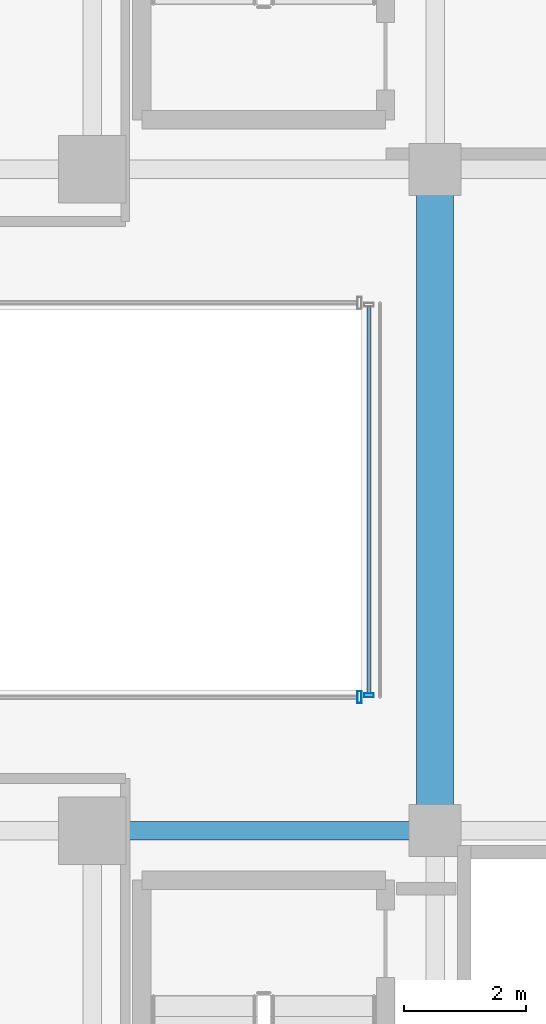
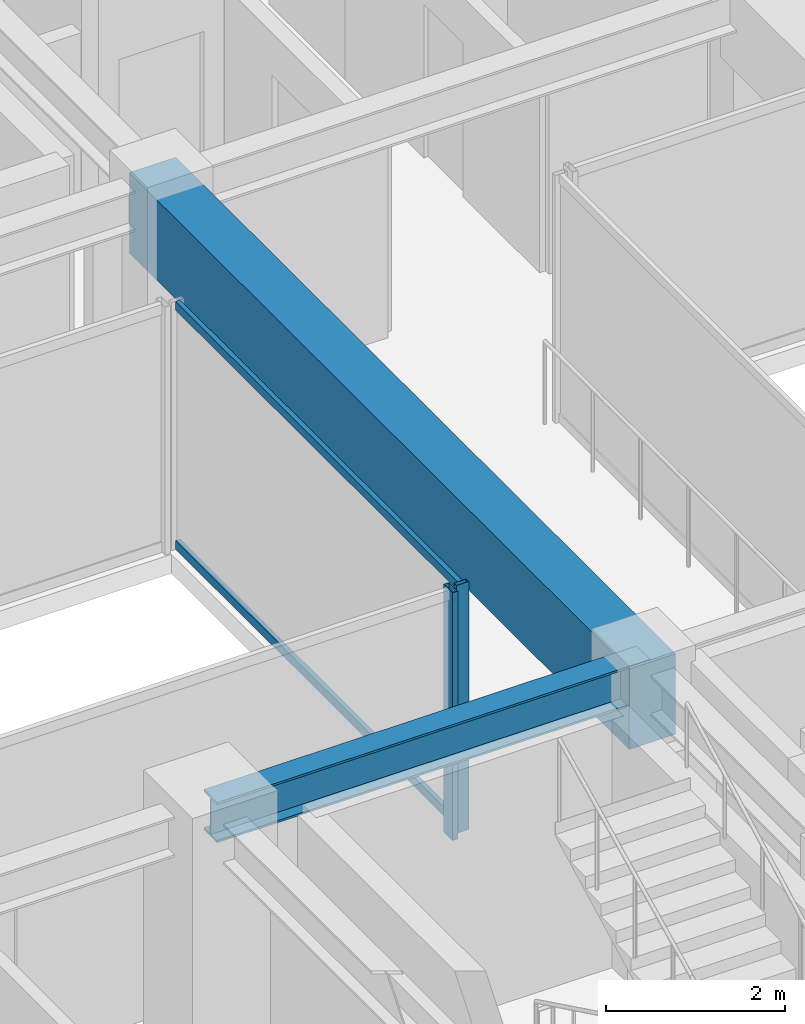
# One storey, part 11 of 36: 4 members, 2 beams, 2 elements without a shape of their own.
"""IFC4 building model written with IfcOpenShell, lengths in metres."""

import ifcopenshell
import ifcopenshell.guid

model = None  # the IFC model being written
_history = None  # IfcOwnerHistory: only IFC2X3 demands one
_inside = {}  # id of a spatial element -> (the spatial element, [elements in it])
_under = {}  # id of a project, library or spatial element -> (it, [spatial elements below it])
_declared = {}  # id of a project -> (the project, [libraries it declares])
_typed = {}  # id of a type object -> (the type object, [elements of that type])
_made_of = {}  # id of a material, layer set ... -> (it, [elements and type objects made of it])


def new_model(schema):
    """Start an empty IFC model of exactly this schema.

    Asked for "IFC4X3", IfcOpenShell would pick the latest addendum, in which some entities
    have other attributes; the version numbers below select the first issue.
    IFC2X3 requires an IfcOwnerHistory on every rooted entity: one is made here for all.
    """
    global model, _history
    if schema == "IFC4X3":
        model = ifcopenshell.file(schema_version=(4, 3, 0, 0))
    else:
        model = ifcopenshell.file(schema=schema)
    _inside.clear()
    _under.clear()
    _declared.clear()
    _typed.clear()
    _made_of.clear()
    _history = None
    if model.schema == "IFC2X3":
        org = make("IfcOrganization", Name="unknown")
        user = make(
            "IfcPersonAndOrganization",
            ThePerson=make("IfcPerson", FamilyName="unknown"),
            TheOrganization=org,
        )
        app = make(
            "IfcApplication",
            ApplicationDeveloper=org,
            Version="unknown",
            ApplicationFullName="unknown",
            ApplicationIdentifier="unknown",
        )
        _history = make(
            "IfcOwnerHistory",
            OwningUser=user,
            OwningApplication=app,
            ChangeAction="ADDED",
            CreationDate=0,
        )
    return model


def make(cls, **values):
    """One entity of the class cls with the attributes given. An attribute that is None is left unset."""
    return model.create_entity(
        cls, **{name: value for name, value in values.items() if value is not None}
    )


def rooted(cls, **values):
    """An entity with a GlobalId (a new one), such as an element, a storey or a relation."""
    return make(cls, GlobalId=ifcopenshell.guid.new(), OwnerHistory=_history, **values)


def si_unit(unit_type, name, prefix=None):
    """IfcSIUnit, for example si_unit("LENGTHUNIT", "METRE", prefix="MILLI")."""
    return make("IfcSIUnit", UnitType=unit_type, Prefix=prefix, Name=name)


def assignment(units):
    """IfcUnitAssignment: the units of a project."""
    return None if units is None else make("IfcUnitAssignment", Units=units)


def point(xyz):
    """IfcCartesianPoint."""
    return None if xyz is None else make("IfcCartesianPoint", Coordinates=xyz)


def direction(xyz):
    """IfcDirection."""
    return None if xyz is None else make("IfcDirection", DirectionRatios=xyz)


def frame(location, z_axis=None, x_axis=None):
    """IfcAxis2Placement3D, a coordinate frame: its origin and axes. An axis left out is left unset."""
    return make(
        "IfcAxis2Placement3D",
        Location=point(location),
        Axis=direction(z_axis),
        RefDirection=direction(x_axis),
    )


def frame_2d(location, x_axis=None):
    """IfcAxis2Placement2D, a coordinate frame in the plane: its origin and x axis."""
    return make(
        "IfcAxis2Placement2D", Location=point(location), RefDirection=direction(x_axis)
    )


def origin():
    """The frame at (0, 0, 0) with its axes left unset."""
    return frame((0.0, 0.0, 0.0))


def origin_2d():
    """The frame at (0, 0) in the plane with its x axis left unset."""
    return frame_2d((0.0, 0.0))


def place(relative_to, where):
    """IfcLocalPlacement: puts the frame where relative to a parent placement (None: the world)."""
    return make(
        "IfcLocalPlacement", PlacementRelTo=relative_to, RelativePlacement=where
    )


def context(
    kind, dimensions, precision=None, world=None, true_north=None, identifier=None
):
    """IfcGeometricRepresentationContext, for example the 3D "Model" context."""
    return make(
        "IfcGeometricRepresentationContext",
        ContextIdentifier=identifier,
        ContextType=kind,
        CoordinateSpaceDimension=dimensions,
        Precision=precision,
        WorldCoordinateSystem=world,
        TrueNorth=true_north,
    )


def subcontext(parent, identifier, kind, view, scale=None):
    """IfcGeometricRepresentationSubContext, for example "Body" below "Model"."""
    return make(
        "IfcGeometricRepresentationSubContext",
        ContextIdentifier=identifier,
        ContextType=kind,
        ParentContext=parent,
        TargetScale=scale,
        TargetView=view,
    )


def project(units=None, contexts=None):
    """IfcProject with its units and contexts."""
    return rooted(
        "IfcProject",
        Name="project",
        RepresentationContexts=contexts,
        UnitsInContext=assignment(units),
    )


def spatial(cls, under=None, at=None, **own):
    """A site, building, storey or space (cls), placed at a placement, below another one or the project."""
    s = rooted(cls, ObjectPlacement=at, **own)
    if under is not None:
        _under.setdefault(under.id(), (under, []))[1].append(s)
    return s


def profile(cls, at=None, kind="AREA", **sizes):
    """A parametric profile (cls). Its sizes go by their IFC names, for example OverallWidth=200.0."""
    return make(cls, ProfileType=kind, Position=at, **sizes)


def rectangle(**sizes):
    """IfcRectangleProfileDef."""
    return profile("IfcRectangleProfileDef", **sizes)


def hollow_rectangle(**sizes):
    """IfcRectangleHollowProfileDef."""
    return profile("IfcRectangleHollowProfileDef", **sizes)


def i_section(**sizes):
    """IfcIShapeProfileDef."""
    return profile("IfcIShapeProfileDef", **sizes)


def extrude(swept, where, along, depth):
    """IfcExtrudedAreaSolid: the profile swept, set in the frame where, extruded along a direction by depth."""
    return make(
        "IfcExtrudedAreaSolid",
        SweptArea=swept,
        Position=where,
        ExtrudedDirection=direction(along),
        Depth=depth,
    )


def shape(context_of_items, identifier, shape_type, items):
    """IfcShapeRepresentation: the items that make up one representation, for example the "Body"."""
    return make(
        "IfcShapeRepresentation",
        ContextOfItems=context_of_items,
        RepresentationIdentifier=identifier,
        RepresentationType=shape_type,
        Items=items,
    )


def source(mapping_origin, context_of_items, identifier, shape_type, items):
    """IfcRepresentationMap: a shape defined once, which mapped items show again and again."""
    return make(
        "IfcRepresentationMap",
        MappingOrigin=mapping_origin,
        MappedRepresentation=shape(context_of_items, identifier, shape_type, items),
    )


def transform(
    local_origin,
    x_axis=None,
    y_axis=None,
    z_axis=None,
    scale=None,
    scale2=None,
    scale3=None,
    uniform=True,
):
    """IfcCartesianTransformationOperator3D, or its non-uniform kind. x_axis, y_axis, z_axis: its Axis1, 2, 3."""
    if uniform:
        return make(
            "IfcCartesianTransformationOperator3D",
            Axis1=direction(x_axis),
            Axis2=direction(y_axis),
            LocalOrigin=point(local_origin),
            Scale=scale,
            Axis3=direction(z_axis),
        )
    return make(
        "IfcCartesianTransformationOperator3DnonUniform",
        Axis1=direction(x_axis),
        Axis2=direction(y_axis),
        LocalOrigin=point(local_origin),
        Scale=scale,
        Axis3=direction(z_axis),
        Scale2=scale2,
        Scale3=scale3,
    )


def mapped(mapping_source, mapping_target):
    """IfcMappedItem: shows the shape of a source again, moved by a transform."""
    return make(
        "IfcMappedItem", MappingSource=mapping_source, MappingTarget=mapping_target
    )


def material(Name=None, Category=None):
    """IfcMaterial."""
    return make("IfcMaterial", Name=Name, Category=Category)


def material_profile(
    of_material, cross_section, Name=None, Category=None, Priority=None
):
    """IfcMaterialProfile: a cross section and its material."""
    return make(
        "IfcMaterialProfile",
        Name=Name,
        Material=of_material,
        Profile=cross_section,
        Priority=Priority,
        Category=Category,
    )


def profile_set(profiles, Name=None, composite=None):
    """IfcMaterialProfileSet."""
    return make(
        "IfcMaterialProfileSet",
        Name=Name,
        MaterialProfiles=profiles,
        CompositeProfile=composite,
    )


def made_of(thing, what):
    """Note that an element or type object is made of a material, layer set ...; save() writes the relation."""
    if what is not None:
        _made_of.setdefault(what.id(), (what, []))[1].append(thing)
    return thing


def type_object(cls, material=None, **own):
    """A type object (cls), such as IfcWallType, which elements share."""
    return made_of(rooted(cls, **own), material)


def element(
    cls,
    number,
    at=None,
    inside=None,
    cuts=None,
    type_object=None,
    material=None,
    context=None,
    identifier="Body",
    shape_type=None,
    held_by="IfcProductDefinitionShape",
    body=None,
    shapes=None,
    **own,
):
    """One element of the class cls, such as IfcWall. Its Tag is "e" and its number.

    at: its placement. inside: the storey or other place that contains it. cuts: it is an
    opening in that element (IfcRelVoidsElement). A single representation is given by context,
    identifier, shape_type and body (its items); several are given by shapes. held_by: the class
    of the entity that holds the representations. save() writes the other relations.
    """
    e = rooted(cls, Tag="e%d" % number, ObjectPlacement=at, **own)
    if body is not None:
        shapes = [shape(context, identifier, shape_type, body)]
    if shapes is not None:
        e.Representation = make(held_by, Representations=shapes)
    if inside is not None:
        _inside.setdefault(inside.id(), (inside, []))[1].append(e)
    if cuts is not None:
        rooted(
            "IfcRelVoidsElement", RelatingBuildingElement=cuts, RelatedOpeningElement=e
        )
    if type_object is not None:
        _typed.setdefault(type_object.id(), (type_object, []))[1].append(e)
    return made_of(e, material)


def aggregate(whole, parts):
    """IfcRelAggregates: a whole, such as a stair, and the parts it consists of."""
    return rooted("IfcRelAggregates", RelatingObject=whole, RelatedObjects=parts)


def save(model, path):
    """Write the relations noted so far, then the file.

    IfcRelAggregates (storeys below a building ...), IfcRelContainedInSpatialStructure (elements
    in a storey), IfcRelDefinesByType, IfcRelAssociatesMaterial and IfcRelDeclares: one each for
    every whole, place, type object, material and project.
    """
    for whole, parts in _under.values():
        aggregate(whole, parts)
    for where, things in _inside.values():
        rooted(
            "IfcRelContainedInSpatialStructure",
            RelatedElements=things,
            RelatingStructure=where,
        )
    for kind, things in _typed.values():
        rooted("IfcRelDefinesByType", RelatedObjects=things, RelatingType=kind)
    for what, things in _made_of.values():
        rooted("IfcRelAssociatesMaterial", RelatedObjects=things, RelatingMaterial=what)
    for by, libraries in _declared.values():
        rooted("IfcRelDeclares", RelatingContext=by, RelatedDefinitions=libraries)
    model.write(path)


model = new_model("IFC4")

# Units and contexts
model_context = context("Model", 3, precision=1e-05, world=origin(), true_north=direction((0.0, 1.0)))
body_context = subcontext(model_context, "Body", "Model", "MODEL_VIEW")
ifc_project = project(units=[si_unit("LENGTHUNIT", "METRE"), si_unit("AREAUNIT", "SQUARE_METRE"), si_unit("VOLUMEUNIT", "CUBIC_METRE"), si_unit("PLANEANGLEUNIT", "RADIAN"), si_unit("MASSUNIT", "GRAM", prefix="KILO")], contexts=[model_context])

# Site, building, storey
site_placement = place(None, origin())
site = spatial("IfcSite", under=ifc_project, at=site_placement, CompositionType="ELEMENT")
building_placement = place(site_placement, origin())
building = spatial("IfcBuilding", under=site, at=building_placement, Name="Nahalor Promenade Grand Hotel", CompositionType="ELEMENT")
storey_placement = place(building_placement, frame((0.0, 0.0, 174.550048828125)))
storey = spatial("IfcBuildingStorey", under=building, at=storey_placement, Name="L44", CompositionType="ELEMENT", Elevation=174.550048828125)

# Beams
ifc_material_1 = material(Name="Concrete B-60 (C50/60)", Category="concrete")
ifc_material_profile_1 = material_profile(ifc_material_1, rectangle(XDim=0.6, YDim=1.1, at=origin_2d()), Name="RC 600x1100")
ifc_profile_set_1 = profile_set([ifc_material_profile_1], Name="Concrete B-60 (C50/60)")
beam_type_1 = type_object("IfcBeamType", Name="Beam-Lintel-RC1100", PredefinedType="LINTEL", material=ifc_profile_set_1)
shared_shape_1 = source(origin(), body_context, "Body", "SweptSolid", [
    extrude(rectangle(XDim=0.6, YDim=1.1, at=origin_2d()), origin(), (0.0, 0.0, 1.0), 11.2001953125),
])
beam_1_placement = place(storey_placement, frame((8.39990234375, -5.60009765625, 2.83984375), z_axis=(0.0, 1.0, 0.0), x_axis=(-1.0, 0.0, 0.0)))
element("IfcBeam", 1, at=beam_1_placement, inside=storey, type_object=beam_type_1, Name="BM-L44-LINT-W", PredefinedType="LINTEL", context=body_context, shape_type="MappedRepresentation", body=[
    mapped(shared_shape_1, transform((0.0, 0.0, 0.0), scale=1.0)),
])
ifc_material_2 = material(Name="Steel S355JR", Category="steel")
ifc_material_profile_2 = material_profile(ifc_material_2, i_section(OverallWidth=0.3, OverallDepth=0.55, WebThickness=0.015, FlangeThickness=0.029, at=origin_2d()), Name="HEB 550")
ifc_profile_set_2 = profile_set([ifc_material_profile_2], Name="Steel S355JR")
beam_type_2 = type_object("IfcBeamType", Name="Beam-Girder-HEB550", PredefinedType="BEAM", material=ifc_profile_set_2)
shared_shape_2 = source(origin(), body_context, "Body", "SweptSolid", [
    extrude(i_section(OverallWidth=0.3, OverallDepth=0.55, WebThickness=0.015, FlangeThickness=0.029, at=origin_2d()), origin(), (0.0, 0.0, 1.0), 5.599853515625),
])
beam_2_placement = place(storey_placement, frame((2.800048828125, -5.39990234375, 3.114990234375), z_axis=(1.0, 0.0, 0.0), x_axis=(0.0, 1.0, 0.0)))
element("IfcBeam", 2, at=beam_2_placement, inside=storey, type_object=beam_type_2, Name="BM-L44-GX-1-4", PredefinedType="BEAM", context=body_context, shape_type="MappedRepresentation", body=[
    mapped(shared_shape_2, transform((0.0, 0.0, 0.0), scale=1.0)),
])

# Curtain wall, members
ifc_material_3 = material(Name="Anodised Bronze Aluminium EN AW-6063 T6", Category="aluminium")
curtain_wall_type_1 = type_object("IfcCurtainWallType", Name="CW4 Low-Iron Sky-Gallery Bridge Curtain Wall", PredefinedType="USERDEFINED", material=ifc_material_3)
curtain_wall_1_placement = place(storey_placement, origin())
curtain_wall_1 = element("IfcCurtainWall", 3, at=curtain_wall_1_placement, inside=storey, type_object=curtain_wall_type_1, Name="L44 Curtain Wall CW-L44-BRG-W", ObjectType="UNITISED_CURTAIN_WALL", PredefinedType="USERDEFINED")
ifc_material_profile_3 = material_profile(ifc_material_3, hollow_rectangle(XDim=0.06, YDim=0.12, WallThickness=0.004, at=origin_2d()), Name="CWT 60x120x4")
ifc_profile_set_3 = profile_set([ifc_material_profile_3], Name="Anodised Bronze Aluminium EN AW-6063 T6")
member_type_1 = type_object("IfcMemberType", Name="CWT4 Sky-Gallery Slim Transom 60x120", PredefinedType="USERDEFINED", material=ifc_profile_set_3)
shared_shape_3 = source(origin(), body_context, "Body", "SweptSolid", [
    extrude(hollow_rectangle(XDim=0.06, YDim=0.12, WallThickness=0.004, at=origin_2d()), origin(), (0.0, 0.0, 1.0), 6.31982421875),
])
member_1_placement = place(storey_placement, frame((7.320068359375, -3.159912109375, 0.06005859375), z_axis=(0.0, 1.0, 0.0), x_axis=(-1.0, 0.0, 0.0)))
member_1 = element("IfcMember", 4, at=member_1_placement, type_object=member_type_1, Name="CW-L44-BRG-W Transom 0-0", ObjectType="TRANSOM", PredefinedType="USERDEFINED", context=body_context, shape_type="MappedRepresentation", body=[
    mapped(shared_shape_3, transform((0.0, 0.0, 0.0), scale=1.0)),
])
member_2_placement = place(storey_placement, frame((7.320068359375, -3.159912109375, 3.329833984375), z_axis=(0.0, 1.0, 0.0), x_axis=(-1.0, 0.0, 0.0)))
member_2 = element("IfcMember", 5, at=member_2_placement, type_object=member_type_1, Name="CW-L44-BRG-W Transom 0-1", ObjectType="TRANSOM", PredefinedType="USERDEFINED", context=body_context, shape_type="MappedRepresentation", body=[
    mapped(shared_shape_3, transform((0.0, 0.0, 0.0), scale=1.0)),
])

# Curtain wall, member
curtain_wall_type_2 = type_object("IfcCurtainWallType", Name="CW3 Elliptical-Void Collar Unitised Curtain Wall", PredefinedType="USERDEFINED", material=ifc_material_3)
curtain_wall_2_placement = place(storey_placement, origin())
curtain_wall_2 = element("IfcCurtainWall", 6, at=curtain_wall_2_placement, inside=storey, type_object=curtain_wall_type_2, Name="L44 Curtain Wall CW-L44-VOID-WS1", ObjectType="UNITISED_CURTAIN_WALL", PredefinedType="USERDEFINED")
ifc_material_profile_4 = material_profile(ifc_material_3, hollow_rectangle(XDim=0.07, YDim=0.2, WallThickness=0.005, at=origin_2d()), Name="CWM 70x200x5")
ifc_profile_set_4 = profile_set([ifc_material_profile_4], Name="Anodised Bronze Aluminium EN AW-6063 T6")
member_type_2 = type_object("IfcMemberType", Name="CWM3 Void Collar Mullion 70x200", PredefinedType="MULLION", material=ifc_profile_set_4)
shared_shape_4 = source(origin(), body_context, "Body", "SweptSolid", [
    extrude(hollow_rectangle(XDim=0.07, YDim=0.2, WallThickness=0.005, at=origin_2d()), origin(), (0.0, 0.0, 1.0), 3.389892578125),
])
member_3_placement = place(storey_placement, frame((7.1650390625, -3.219970703125, 0.0), z_axis=(0.0, 0.0, 1.0), x_axis=(1.0, 0.0, 0.0)))
member_3 = element("IfcMember", 7, at=member_3_placement, type_object=member_type_2, Name="CW-L44-VOID-WS1 Mullion 3", PredefinedType="MULLION", context=body_context, shape_type="MappedRepresentation", body=[
    mapped(shared_shape_4, transform((0.0, 0.0, 0.0), scale=1.0)),
])
aggregate(curtain_wall_2, [member_3])

# Member
ifc_material_profile_5 = material_profile(ifc_material_3, hollow_rectangle(XDim=0.06, YDim=0.16, WallThickness=0.004, at=origin_2d()), Name="CWM 60x160x4")
ifc_profile_set_5 = profile_set([ifc_material_profile_5], Name="Anodised Bronze Aluminium EN AW-6063 T6")
member_type_3 = type_object("IfcMemberType", Name="CWM4 Sky-Gallery Slim Mullion 60x160", PredefinedType="MULLION", material=ifc_profile_set_5)
shared_shape_5 = source(origin(), body_context, "Body", "SweptSolid", [
    extrude(hollow_rectangle(XDim=0.06, YDim=0.16, WallThickness=0.004, at=origin_2d()), origin(), (0.0, 0.0, 1.0), 3.389892578125),
])
member_4_placement = place(storey_placement, frame((7.320068359375, -3.18994140625, 0.0), z_axis=(0.0, 0.0, 1.0), x_axis=(0.0, 1.0, 0.0)))
member_4 = element("IfcMember", 8, at=member_4_placement, type_object=member_type_3, Name="CW-L44-BRG-W Mullion 0", PredefinedType="MULLION", context=body_context, shape_type="MappedRepresentation", body=[
    mapped(shared_shape_5, transform((0.0, 0.0, 0.0), scale=1.0)),
])

aggregate(curtain_wall_1, [member_4, member_1, member_2])

save(model, "model.ifc")
